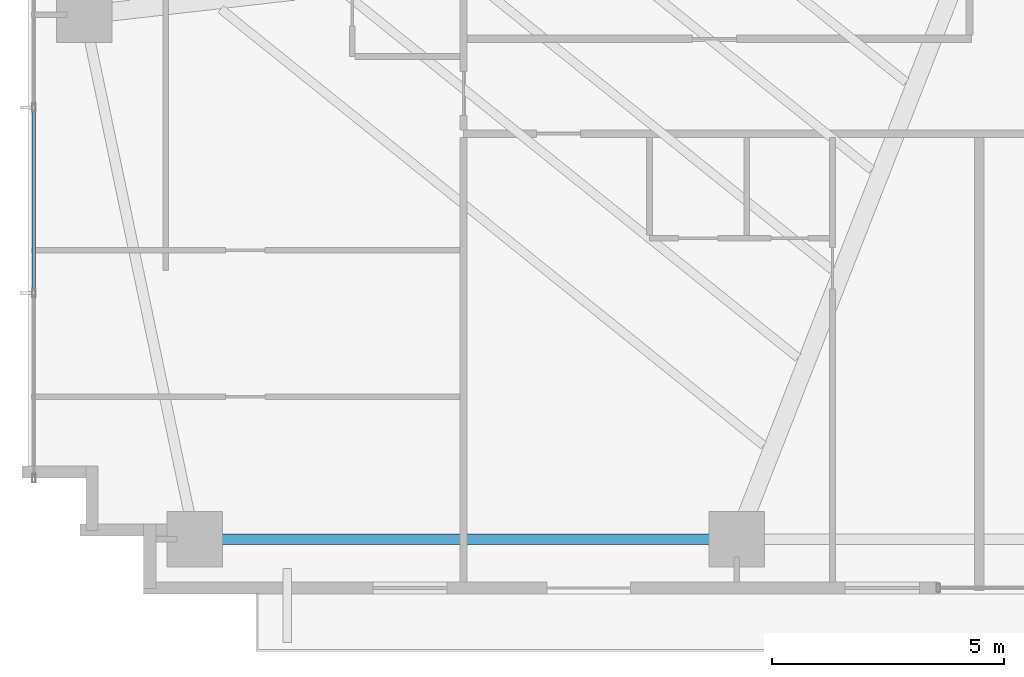
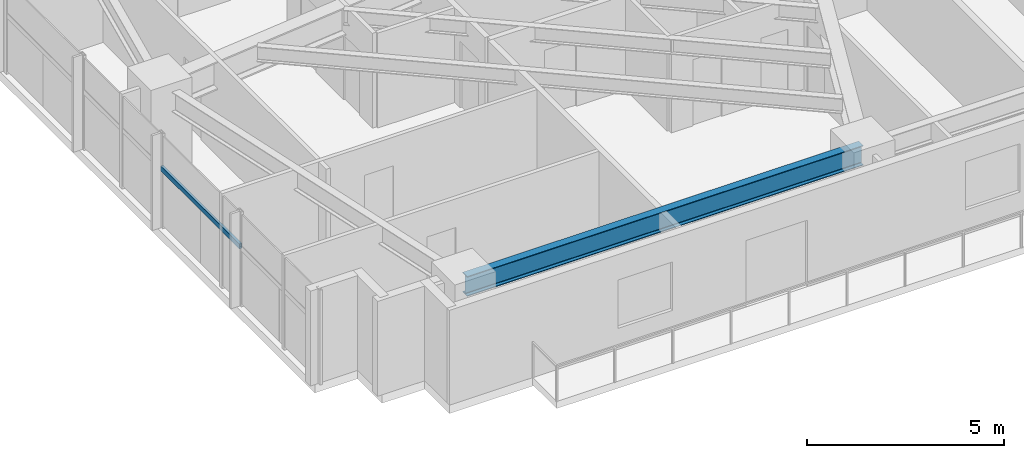
# One storey, part 3 of 25: 1 beam, 1 member, 1 element without a shape of its own.
"""IFC4 building model written with IfcOpenShell, lengths in metres."""

from ifc_helpers import new_model, si_unit, direction, frame, origin, origin_2d, place, context, subcontext, project, spatial, hollow_rectangle, i_section, extrude, source, transform, mapped, material, material_profile, profile_set, type_object, type_shapes, element, aggregate, save


model = new_model("IFC4")

# Units and contexts
model_context = context("Model", 3, precision=1e-05, world=origin(), true_north=direction((0.0, 1.0)))
body_context = subcontext(model_context, "Body", "Model", "MODEL_VIEW")
ifc_project = project(units=[si_unit("LENGTHUNIT", "METRE"), si_unit("AREAUNIT", "SQUARE_METRE"), si_unit("VOLUMEUNIT", "CUBIC_METRE"), si_unit("PLANEANGLEUNIT", "RADIAN"), si_unit("MASSUNIT", "GRAM", prefix="KILO")], contexts=[model_context])

# Site, building, storey
site_placement = place(None, origin())
site = spatial("IfcSite", under=ifc_project, at=site_placement, CompositionType="ELEMENT")
building_placement = place(site_placement, origin())
building = spatial("IfcBuilding", under=site, at=building_placement, Name="Astriad Promenade Condominiums", CompositionType="ELEMENT")
storey_placement = place(building_placement, frame((0.0, 0.0, 42.199951171875)))
storey = spatial("IfcBuildingStorey", under=building, at=storey_placement, Name="L11", CompositionType="ELEMENT", Elevation=42.199951171875)

# Beam
ifc_material_1 = material(Name="Steel ASTM A992 Grade 50", Category="steel")
ifc_material_profile_1 = material_profile(ifc_material_1, i_section(OverallWidth=0.22900390625, OverallDepth=0.612060546875, WebThickness=0.011962890625, FlangeThickness=0.01953125, FilletRadius=0.017822265625, at=origin_2d()), Name="W24X84")
ifc_profile_set_1 = profile_set([ifc_material_profile_1], Name="Steel ASTM A992 Grade 50")
beam_type = type_object("IfcBeamType", Name="STEEL SPANDREL BEAM W24X84", PredefinedType="SPANDREL", material=ifc_profile_set_1)
shared_shape_1 = source(origin(), body_context, "Body", "SweptSolid", [
    extrude(i_section(OverallWidth=0.22900390625, OverallDepth=0.612060546875, WebThickness=0.011962890625, FlangeThickness=0.01953125, FilletRadius=0.017822265625, at=origin_2d()), origin(), (0.0, 0.0, 1.0), 11.6201171875),
])
type_shapes(beam_type, [shared_shape_1])
beam_placement = place(storey_placement, frame((9.43994140625, 3.8798828125, 2.634033203125), z_axis=(1.0, 0.0, 0.0), x_axis=(0.0, 1.0, 0.0)))
element("IfcBeam", 1, at=beam_placement, inside=storey, type_object=beam_type, Name="Perimeter Spandrel Beam SP-S1-L11", PredefinedType="SPANDREL", context=body_context, shape_type="MappedRepresentation", body=[
    mapped(shared_shape_1, transform((0.0, 0.0, 0.0), scale=1.0)),
])

# Curtain wall, member
ifc_material_2 = material(Name="Anodised aluminium Black Dark Glass Unitised", Category="aluminium")
curtain_wall_type = type_object("IfcCurtainWallType", Name="CW-B1-DARK", PredefinedType="USERDEFINED", material=ifc_material_2)
curtain_wall_placement = place(storey_placement, origin())
curtain_wall = element("IfcCurtainWall", 2, at=curtain_wall_placement, inside=storey, type_object=curtain_wall_type, Name="CW-L11-W", ObjectType="UNITISED_CURTAIN_WALL", PredefinedType="USERDEFINED")
ifc_material_3 = material(Name="Anodised aluminium 6063-T6 Black", Category="aluminium")
ifc_material_profile_2 = material_profile(ifc_material_3, hollow_rectangle(XDim=0.074951171875, YDim=0.14990234375, WallThickness=0.004150390625, at=origin_2d()), Name="ALU-TRN-75X150")
ifc_profile_set_2 = profile_set([ifc_material_profile_2], Name="Anodised aluminium 6063-T6 Black")
member_type = type_object("IfcMemberType", Name="TRN-ALU-TRN-75X150", PredefinedType="USERDEFINED", material=ifc_profile_set_2)
shared_shape_2 = source(origin(), body_context, "Body", "SweptSolid", [
    extrude(hollow_rectangle(XDim=0.074951171875, YDim=0.14990234375, WallThickness=0.004150390625, at=origin_2d()), origin(), (0.0, 0.0, 1.0), 4.0),
])
type_shapes(member_type, [shared_shape_2])
member_placement = place(storey_placement, frame((5.929931640625, 9.199951171875, 1.82275390625), z_axis=(0.0, 1.0, 0.0), x_axis=(-1.0, 0.0, 0.0)))
member = element("IfcMember", 3, at=member_placement, type_object=member_type, Name="CW-L11-W-TRN-01-0", ObjectType="TRANSOM", PredefinedType="USERDEFINED", context=body_context, shape_type="MappedRepresentation", body=[
    mapped(shared_shape_2, transform((0.0, 0.0, 0.0), scale=1.0)),
])
aggregate(curtain_wall, [member])

save(model, "model.ifc")
